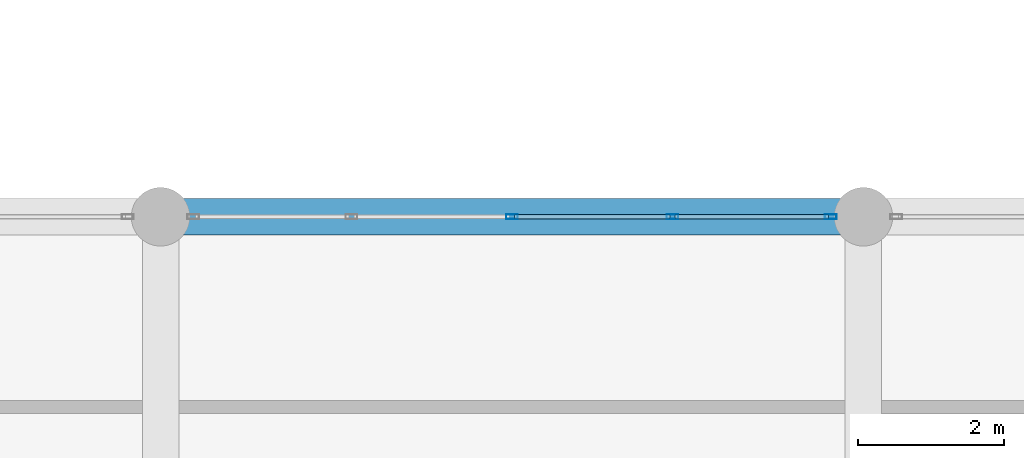
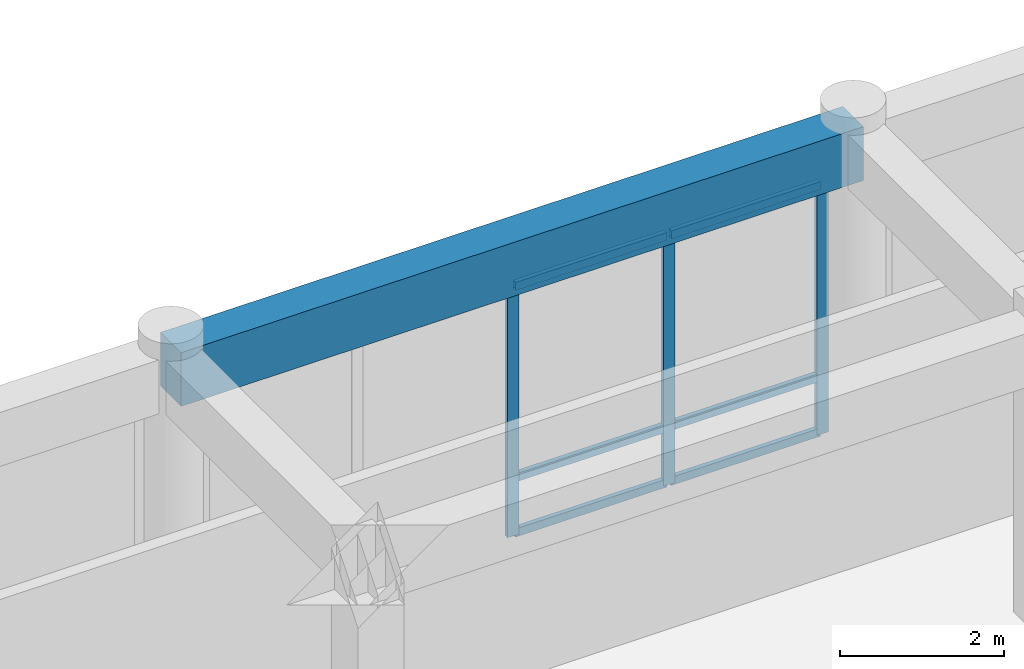
# One storey, part 7 of 101: 9 members, 1 beam, 1 element without a shape of its own.
"""IFC4 building model written with IfcOpenShell, lengths in metres."""

from ifc_helpers import new_model, si_unit, direction, frame, origin, origin_2d, place, context, subcontext, project, spatial, rectangle, hollow_rectangle, extrude, material, layer, layer_set, material_profile, profile_set, type_object, element, aggregate, save


model = new_model("IFC4")

# Units and contexts
model_context = context("Model", 3, precision=1e-05, world=origin(), true_north=direction((0.0, 1.0)))
body_context = subcontext(model_context, "Body", "Model", "MODEL_VIEW")
ifc_project = project(units=[si_unit("LENGTHUNIT", "METRE"), si_unit("AREAUNIT", "SQUARE_METRE"), si_unit("VOLUMEUNIT", "CUBIC_METRE"), si_unit("PLANEANGLEUNIT", "RADIAN"), si_unit("MASSUNIT", "GRAM", prefix="KILO")], contexts=[model_context])

# Site, building, storey
site_placement = place(None, origin())
site = spatial("IfcSite", under=ifc_project, at=site_placement, CompositionType="ELEMENT")
building_placement = place(site_placement, origin())
building = spatial("IfcBuilding", under=site, at=building_placement, Name="Nakhvara Creek Congress Hotel", CompositionType="ELEMENT")
storey_placement = place(building_placement, frame((0.0, 0.0, 16.199951171875)))
storey = spatial("IfcBuildingStorey", under=building, at=storey_placement, Name="L03", CompositionType="ELEMENT", Elevation=16.199951171875)

# Beam
ifc_material_1 = material(Name="Concrete C40/50", Category="concrete")
ifc_material_profile_1 = material_profile(ifc_material_1, rectangle(XDim=0.5, YDim=0.800048828125, at=origin_2d()), Name="RC-BM 500x800", Category="LoadBearing")
ifc_profile_set_1 = profile_set([ifc_material_profile_1], Name="Concrete C40/50")
beam_type = type_object("IfcBeamType", Name="BM-RC-500X800", PredefinedType="BEAM", material=ifc_profile_set_1)
beam_placement = place(storey_placement, frame((86.39990234375, 43.199951171875, 4.14013671875), z_axis=(1.0, 0.0, 0.0), x_axis=(0.0, 1.0, 0.0)))
element("IfcBeam", 1, at=beam_placement, inside=storey, type_object=beam_type, Name="Beam B03-L03-1721", PredefinedType="BEAM", context=body_context, shape_type="SweptSolid", body=[
    extrude(rectangle(XDim=0.5, YDim=0.800048828125, at=origin_2d()), origin(), (0.0, 0.0, 1.0), 9.60009765625),
])

# Curtain wall, members
ifc_material_2 = material(Name="Bronze-anodised aluminium AW-6063-T6 and double-silver low-E glass", Category="aluminium")
ifc_layer = layer(ifc_material_2, 0.199951171875)
ifc_layer_set = layer_set([ifc_layer], Name="Bronze-anodised aluminium AW-6063-T6 and double-silver low-E glass")
curtain_wall_type = type_object("IfcCurtainWallType", Name="CW-POD-STICK", PredefinedType="NOTDEFINED", material=ifc_layer_set)
curtain_wall_placement = place(storey_placement, origin())
curtain_wall = element("IfcCurtainWall", 2, at=curtain_wall_placement, inside=storey, type_object=curtain_wall_type, Name="Curtain Wall CW051", PredefinedType="NOTDEFINED")
ifc_material_3 = material(Name="Bronze-anodised aluminium AW-6063-T6", Category="aluminium")
ifc_material_profile_2 = material_profile(ifc_material_3, hollow_rectangle(XDim=0.06494140625, YDim=0.159912109375, WallThickness=0.00390625, at=origin_2d()), Name="ALU-MULL 65x160x4", Category="LoadBearing")
ifc_profile_set_2 = profile_set([ifc_material_profile_2], Name="Bronze-anodised aluminium AW-6063-T6")
member_type_1 = type_object("IfcMemberType", Name="CW-MULL-160", PredefinedType="MULLION", material=ifc_profile_set_2)
member_1_placement = place(storey_placement, frame((91.199951171875, 43.199951171875, 0.0), z_axis=(0.0, 0.0, 1.0), x_axis=(0.0, 1.0, 0.0)))
member_1 = element("IfcMember", 3, at=member_1_placement, type_object=member_type_1, Name="CW051 mullion 3", PredefinedType="MULLION", context=body_context, shape_type="SweptSolid", body=[
    extrude(hollow_rectangle(XDim=0.06494140625, YDim=0.159912109375, WallThickness=0.00390625, at=origin_2d()), origin(), (0.0, 0.0, 1.0), 3.73193359375),
])
member_2_placement = place(storey_placement, frame((93.392578125, 43.199951171875, 0.0), z_axis=(0.0, 0.0, 1.0), x_axis=(0.0, 1.0, 0.0)))
member_2 = element("IfcMember", 4, at=member_2_placement, type_object=member_type_1, Name="CW051 mullion 4", PredefinedType="MULLION", context=body_context, shape_type="SweptSolid", body=[
    extrude(hollow_rectangle(XDim=0.06494140625, YDim=0.159912109375, WallThickness=0.00390625, at=origin_2d()), origin(), (0.0, 0.0, 1.0), 3.73193359375),
])
member_3_placement = place(storey_placement, frame((95.552490234375, 43.199951171875, 0.0), z_axis=(0.0, 0.0, 1.0), x_axis=(0.0, 1.0, 0.0)))
member_3 = element("IfcMember", 5, at=member_3_placement, type_object=member_type_1, Name="CW051 mullion 5", PredefinedType="MULLION", context=body_context, shape_type="SweptSolid", body=[
    extrude(hollow_rectangle(XDim=0.06494140625, YDim=0.159912109375, WallThickness=0.00390625, at=origin_2d()), origin(), (0.0, 0.0, 1.0), 3.73193359375),
])
ifc_material_profile_3 = material_profile(ifc_material_3, hollow_rectangle(XDim=0.06494140625, YDim=0.1201171875, WallThickness=0.00390625, at=origin_2d()), Name="ALU-TRAN 65x120x4", Category="LoadBearing")
ifc_profile_set_3 = profile_set([ifc_material_profile_3], Name="Bronze-anodised aluminium AW-6063-T6")
member_type_2 = type_object("IfcMemberType", Name="CW-TRAN-120", PredefinedType="USERDEFINED", material=ifc_profile_set_3)
member_4_placement = place(storey_placement, frame((91.232421875, 43.199951171875, 0.032470703125), z_axis=(1.0, 0.0, 0.0), x_axis=(0.0, 1.0, 0.0)))
member_4 = element("IfcMember", 6, at=member_4_placement, type_object=member_type_2, Name="CW051 transom 3.1", ObjectType="TRANSOM", PredefinedType="USERDEFINED", context=body_context, shape_type="SweptSolid", body=[
    extrude(hollow_rectangle(XDim=0.06494140625, YDim=0.1201171875, WallThickness=0.00390625, at=origin_2d()), origin(), (0.0, 0.0, 1.0), 2.127685546875),
])
member_5_placement = place(storey_placement, frame((91.232421875, 43.199951171875, 0.85009765625), z_axis=(1.0, 0.0, 0.0), x_axis=(0.0, 1.0, 0.0)))
member_5 = element("IfcMember", 7, at=member_5_placement, type_object=member_type_2, Name="CW051 transom 3.2", ObjectType="TRANSOM", PredefinedType="USERDEFINED", context=body_context, shape_type="SweptSolid", body=[
    extrude(hollow_rectangle(XDim=0.06494140625, YDim=0.1201171875, WallThickness=0.00390625, at=origin_2d()), origin(), (0.0, 0.0, 1.0), 2.127685546875),
])
member_6_placement = place(storey_placement, frame((91.232421875, 43.199951171875, 3.699462890625), z_axis=(1.0, 0.0, 0.0), x_axis=(0.0, 1.0, 0.0)))
member_6 = element("IfcMember", 8, at=member_6_placement, type_object=member_type_2, Name="CW051 transom 3.3", ObjectType="TRANSOM", PredefinedType="USERDEFINED", context=body_context, shape_type="SweptSolid", body=[
    extrude(hollow_rectangle(XDim=0.06494140625, YDim=0.1201171875, WallThickness=0.00390625, at=origin_2d()), origin(), (0.0, 0.0, 1.0), 2.127685546875),
])
member_7_placement = place(storey_placement, frame((93.425048828125, 43.199951171875, 0.032470703125), z_axis=(1.0, 0.0, 0.0), x_axis=(0.0, 1.0, 0.0)))
member_7 = element("IfcMember", 9, at=member_7_placement, type_object=member_type_2, Name="CW051 transom 4.1", ObjectType="TRANSOM", PredefinedType="USERDEFINED", context=body_context, shape_type="SweptSolid", body=[
    extrude(hollow_rectangle(XDim=0.06494140625, YDim=0.1201171875, WallThickness=0.00390625, at=origin_2d()), origin(), (0.0, 0.0, 1.0), 2.094970703125),
])
member_8_placement = place(storey_placement, frame((93.425048828125, 43.199951171875, 0.85009765625), z_axis=(1.0, 0.0, 0.0), x_axis=(0.0, 1.0, 0.0)))
member_8 = element("IfcMember", 10, at=member_8_placement, type_object=member_type_2, Name="CW051 transom 4.2", ObjectType="TRANSOM", PredefinedType="USERDEFINED", context=body_context, shape_type="SweptSolid", body=[
    extrude(hollow_rectangle(XDim=0.06494140625, YDim=0.1201171875, WallThickness=0.00390625, at=origin_2d()), origin(), (0.0, 0.0, 1.0), 2.094970703125),
])
member_9_placement = place(storey_placement, frame((93.425048828125, 43.199951171875, 3.699462890625), z_axis=(1.0, 0.0, 0.0), x_axis=(0.0, 1.0, 0.0)))
member_9 = element("IfcMember", 11, at=member_9_placement, type_object=member_type_2, Name="CW051 transom 4.3", ObjectType="TRANSOM", PredefinedType="USERDEFINED", context=body_context, shape_type="SweptSolid", body=[
    extrude(hollow_rectangle(XDim=0.06494140625, YDim=0.1201171875, WallThickness=0.00390625, at=origin_2d()), origin(), (0.0, 0.0, 1.0), 2.094970703125),
])
aggregate(curtain_wall, [member_1, member_2, member_3, member_4, member_5, member_6, member_7, member_8, member_9])

save(model, "model.ifc")
